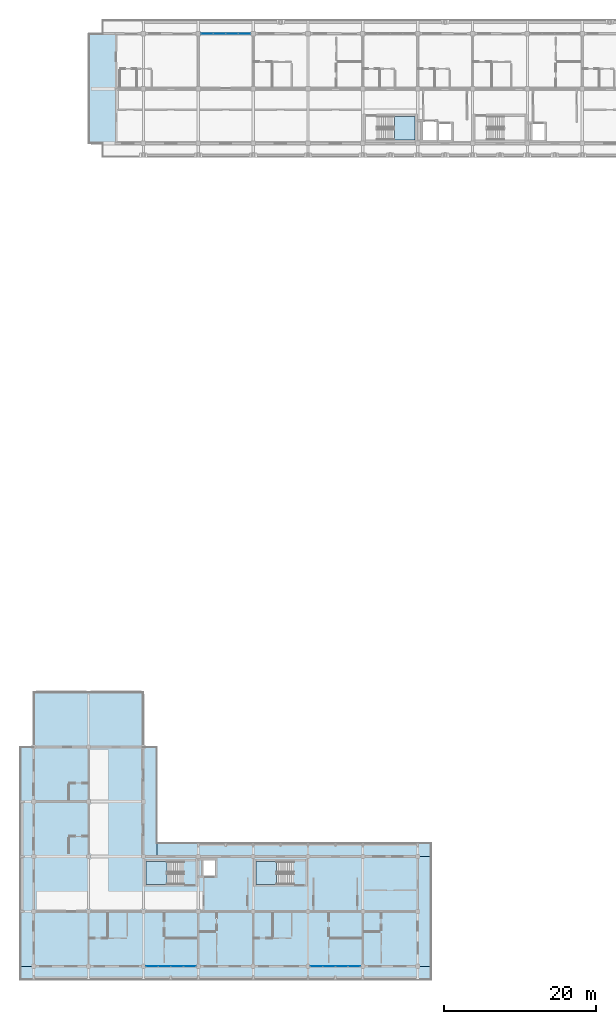
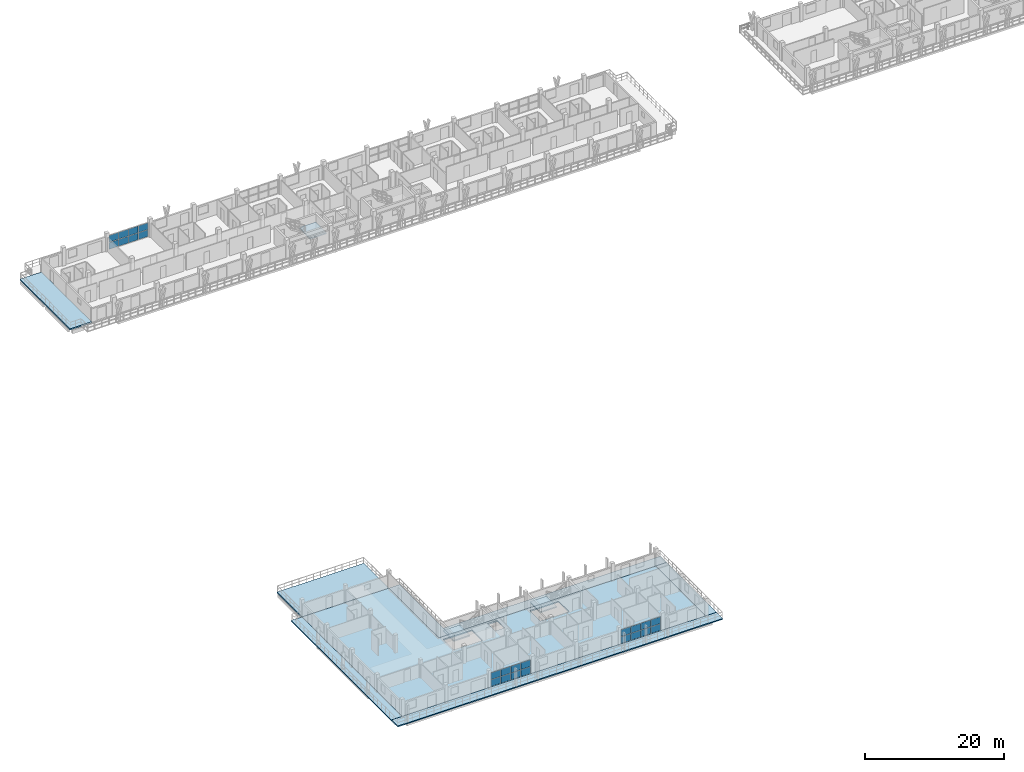
# One storey, part 29 of 67: 24 plates, 11 slabs, 6 elements without a shape of their own.
"""IFC4 building model written with IfcOpenShell, lengths in metres."""

import ifcopenshell
import ifcopenshell.guid

model = None  # the IFC model being written
_history = None  # IfcOwnerHistory: only IFC2X3 demands one
_inside = {}  # id of a spatial element -> (the spatial element, [elements in it])
_under = {}  # id of a project, library or spatial element -> (it, [spatial elements below it])
_declared = {}  # id of a project -> (the project, [libraries it declares])
_typed = {}  # id of a type object -> (the type object, [elements of that type])
_made_of = {}  # id of a material, layer set ... -> (it, [elements and type objects made of it])


def new_model(schema):
    """Start an empty IFC model of exactly this schema.

    Asked for "IFC4X3", IfcOpenShell would pick the latest addendum, in which some entities
    have other attributes; the version numbers below select the first issue.
    IFC2X3 requires an IfcOwnerHistory on every rooted entity: one is made here for all.
    """
    global model, _history
    if schema == "IFC4X3":
        model = ifcopenshell.file(schema_version=(4, 3, 0, 0))
    else:
        model = ifcopenshell.file(schema=schema)
    _inside.clear()
    _under.clear()
    _declared.clear()
    _typed.clear()
    _made_of.clear()
    _history = None
    if model.schema == "IFC2X3":
        org = make("IfcOrganization", Name="unknown")
        user = make(
            "IfcPersonAndOrganization",
            ThePerson=make("IfcPerson", FamilyName="unknown"),
            TheOrganization=org,
        )
        app = make(
            "IfcApplication",
            ApplicationDeveloper=org,
            Version="unknown",
            ApplicationFullName="unknown",
            ApplicationIdentifier="unknown",
        )
        _history = make(
            "IfcOwnerHistory",
            OwningUser=user,
            OwningApplication=app,
            ChangeAction="ADDED",
            CreationDate=0,
        )
    return model


def make(cls, **values):
    """One entity of the class cls with the attributes given. An attribute that is None is left unset."""
    return model.create_entity(
        cls, **{name: value for name, value in values.items() if value is not None}
    )


def rooted(cls, **values):
    """An entity with a GlobalId (a new one), such as an element, a storey or a relation."""
    return make(cls, GlobalId=ifcopenshell.guid.new(), OwnerHistory=_history, **values)


def si_unit(unit_type, name, prefix=None):
    """IfcSIUnit, for example si_unit("LENGTHUNIT", "METRE", prefix="MILLI")."""
    return make("IfcSIUnit", UnitType=unit_type, Prefix=prefix, Name=name)


def assignment(units):
    """IfcUnitAssignment: the units of a project."""
    return None if units is None else make("IfcUnitAssignment", Units=units)


def point(xyz):
    """IfcCartesianPoint."""
    return None if xyz is None else make("IfcCartesianPoint", Coordinates=xyz)


def direction(xyz):
    """IfcDirection."""
    return None if xyz is None else make("IfcDirection", DirectionRatios=xyz)


def frame(location, z_axis=None, x_axis=None):
    """IfcAxis2Placement3D, a coordinate frame: its origin and axes. An axis left out is left unset."""
    return make(
        "IfcAxis2Placement3D",
        Location=point(location),
        Axis=direction(z_axis),
        RefDirection=direction(x_axis),
    )


def frame_2d(location, x_axis=None):
    """IfcAxis2Placement2D, a coordinate frame in the plane: its origin and x axis."""
    return make(
        "IfcAxis2Placement2D", Location=point(location), RefDirection=direction(x_axis)
    )


def origin():
    """The frame at (0, 0, 0) with its axes left unset."""
    return frame((0.0, 0.0, 0.0))


def origin_2d():
    """The frame at (0, 0) in the plane with its x axis left unset."""
    return frame_2d((0.0, 0.0))


def place(relative_to, where):
    """IfcLocalPlacement: puts the frame where relative to a parent placement (None: the world)."""
    return make(
        "IfcLocalPlacement", PlacementRelTo=relative_to, RelativePlacement=where
    )


def context(
    kind, dimensions, precision=None, world=None, true_north=None, identifier=None
):
    """IfcGeometricRepresentationContext, for example the 3D "Model" context."""
    return make(
        "IfcGeometricRepresentationContext",
        ContextIdentifier=identifier,
        ContextType=kind,
        CoordinateSpaceDimension=dimensions,
        Precision=precision,
        WorldCoordinateSystem=world,
        TrueNorth=true_north,
    )


def subcontext(parent, identifier, kind, view, scale=None):
    """IfcGeometricRepresentationSubContext, for example "Body" below "Model"."""
    return make(
        "IfcGeometricRepresentationSubContext",
        ContextIdentifier=identifier,
        ContextType=kind,
        ParentContext=parent,
        TargetScale=scale,
        TargetView=view,
    )


def project(units=None, contexts=None):
    """IfcProject with its units and contexts."""
    return rooted(
        "IfcProject",
        Name="project",
        RepresentationContexts=contexts,
        UnitsInContext=assignment(units),
    )


def spatial(cls, under=None, at=None, **own):
    """A site, building, storey or space (cls), placed at a placement, below another one or the project."""
    s = rooted(cls, ObjectPlacement=at, **own)
    if under is not None:
        _under.setdefault(under.id(), (under, []))[1].append(s)
    return s


def polyline(points):
    """IfcPolyline through the points."""
    return make("IfcPolyline", Points=[point(p) for p in points])


def profile(cls, at=None, kind="AREA", **sizes):
    """A parametric profile (cls). Its sizes go by their IFC names, for example OverallWidth=200.0."""
    return make(cls, ProfileType=kind, Position=at, **sizes)


def rectangle(**sizes):
    """IfcRectangleProfileDef."""
    return profile("IfcRectangleProfileDef", **sizes)


def outline(outer, holes=None, kind="AREA"):
    """IfcArbitraryClosedProfileDef: a profile drawn as a closed curve; with holes, ...WithVoids."""
    if holes is None:
        return make("IfcArbitraryClosedProfileDef", ProfileType=kind, OuterCurve=outer)
    return make(
        "IfcArbitraryProfileDefWithVoids",
        ProfileType=kind,
        OuterCurve=outer,
        InnerCurves=holes,
    )


def extrude(swept, where, along, depth):
    """IfcExtrudedAreaSolid: the profile swept, set in the frame where, extruded along a direction by depth."""
    return make(
        "IfcExtrudedAreaSolid",
        SweptArea=swept,
        Position=where,
        ExtrudedDirection=direction(along),
        Depth=depth,
    )


def shape(context_of_items, identifier, shape_type, items):
    """IfcShapeRepresentation: the items that make up one representation, for example the "Body"."""
    return make(
        "IfcShapeRepresentation",
        ContextOfItems=context_of_items,
        RepresentationIdentifier=identifier,
        RepresentationType=shape_type,
        Items=items,
    )


def material(Name=None, Category=None):
    """IfcMaterial."""
    return make("IfcMaterial", Name=Name, Category=Category)


def layer(
    of_material, thickness, ventilated=None, Name=None, Category=None, Priority=None
):
    """IfcMaterialLayer: one layer of a wall or slab, of a material (None: an air gap)."""
    return make(
        "IfcMaterialLayer",
        Material=of_material,
        LayerThickness=thickness,
        IsVentilated=ventilated,
        Name=Name,
        Category=Category,
        Priority=Priority,
    )


def layer_set(layers, Name=None):
    """IfcMaterialLayerSet."""
    return make("IfcMaterialLayerSet", MaterialLayers=layers, LayerSetName=Name)


def made_of(thing, what):
    """Note that an element or type object is made of a material, layer set ...; save() writes the relation."""
    if what is not None:
        _made_of.setdefault(what.id(), (what, []))[1].append(thing)
    return thing


def type_object(cls, material=None, **own):
    """A type object (cls), such as IfcWallType, which elements share."""
    return made_of(rooted(cls, **own), material)


def element(
    cls,
    number,
    at=None,
    inside=None,
    cuts=None,
    type_object=None,
    material=None,
    context=None,
    identifier="Body",
    shape_type=None,
    held_by="IfcProductDefinitionShape",
    body=None,
    shapes=None,
    **own,
):
    """One element of the class cls, such as IfcWall. Its Tag is "e" and its number.

    at: its placement. inside: the storey or other place that contains it. cuts: it is an
    opening in that element (IfcRelVoidsElement). A single representation is given by context,
    identifier, shape_type and body (its items); several are given by shapes. held_by: the class
    of the entity that holds the representations. save() writes the other relations.
    """
    e = rooted(cls, Tag="e%d" % number, ObjectPlacement=at, **own)
    if body is not None:
        shapes = [shape(context, identifier, shape_type, body)]
    if shapes is not None:
        e.Representation = make(held_by, Representations=shapes)
    if inside is not None:
        _inside.setdefault(inside.id(), (inside, []))[1].append(e)
    if cuts is not None:
        rooted(
            "IfcRelVoidsElement", RelatingBuildingElement=cuts, RelatedOpeningElement=e
        )
    if type_object is not None:
        _typed.setdefault(type_object.id(), (type_object, []))[1].append(e)
    return made_of(e, material)


def aggregate(whole, parts):
    """IfcRelAggregates: a whole, such as a stair, and the parts it consists of."""
    return rooted("IfcRelAggregates", RelatingObject=whole, RelatedObjects=parts)


def save(model, path):
    """Write the relations noted so far, then the file.

    IfcRelAggregates (storeys below a building ...), IfcRelContainedInSpatialStructure (elements
    in a storey), IfcRelDefinesByType, IfcRelAssociatesMaterial and IfcRelDeclares: one each for
    every whole, place, type object, material and project.
    """
    for whole, parts in _under.values():
        aggregate(whole, parts)
    for where, things in _inside.values():
        rooted(
            "IfcRelContainedInSpatialStructure",
            RelatedElements=things,
            RelatingStructure=where,
        )
    for kind, things in _typed.values():
        rooted("IfcRelDefinesByType", RelatedObjects=things, RelatingType=kind)
    for what, things in _made_of.values():
        rooted("IfcRelAssociatesMaterial", RelatedObjects=things, RelatingMaterial=what)
    for by, libraries in _declared.values():
        rooted("IfcRelDeclares", RelatingContext=by, RelatedDefinitions=libraries)
    model.write(path)


model = new_model("IFC4")

# Units and contexts
model_context = context("Model", 3, precision=1e-05, world=origin(), true_north=direction((0.0, 1.0)))
body_context = subcontext(model_context, "Body", "Model", "MODEL_VIEW")
ifc_project = project(units=[si_unit("LENGTHUNIT", "METRE"), si_unit("AREAUNIT", "SQUARE_METRE"), si_unit("VOLUMEUNIT", "CUBIC_METRE"), si_unit("PLANEANGLEUNIT", "RADIAN"), si_unit("MASSUNIT", "GRAM", prefix="KILO")], contexts=[model_context])

# Site, building, storey
site_placement = place(None, origin())
site = spatial("IfcSite", under=ifc_project, at=site_placement, CompositionType="ELEMENT")
building_placement = place(site_placement, origin())
building = spatial("IfcBuilding", under=site, at=building_placement, Name="Suanplinth Sawtooth Commons", CompositionType="ELEMENT")
storey_placement = place(building_placement, frame((0.0, 0.0, 25.10009765625)))
storey = spatial("IfcBuildingStorey", under=building, at=storey_placement, Name="L07", CompositionType="ELEMENT", Elevation=25.10009765625)

# Curtain wall, plates
ifc_material_1 = material(Name="Anodized aluminium and low-E glazing", Category="aluminium")
curtain_wall_type = type_object("IfcCurtainWallType", Name="CW-06", PredefinedType="USERDEFINED", material=ifc_material_1)
curtain_wall_1_placement = place(storey_placement, origin())
curtain_wall_1 = element("IfcCurtainWall", 1, at=curtain_wall_1_placement, inside=storey, type_object=curtain_wall_type, Name="Curtain Wall CW-L07-A-LOUNGE-2", ObjectType="CURTAIN WALL", PredefinedType="USERDEFINED")
ifc_material_2 = material(Name="Tempered low-E double glazing", Category="glass")
ifc_layer_1 = layer(ifc_material_2, 0.028076171875, Name="Vision low-E insulated glazing unit 28mm")
ifc_layer_set_1 = layer_set([ifc_layer_1], Name="Tempered low-E double glazing")
plate_type = type_object("IfcPlateType", Name="PL-05", PredefinedType="CURTAIN_PANEL", material=ifc_layer_set_1)
plate_1_placement = place(storey_placement, frame((22.7412109375, 122.39990234375, 0.06494140625), z_axis=(0.0, 0.0, 1.0), x_axis=(1.0, 0.0, 0.0)))
plate_1 = element("IfcPlate", 2, at=plate_1_placement, type_object=plate_type, Name="CW-06 panel 1.1", PredefinedType="CURTAIN_PANEL", context=body_context, shape_type="SweptSolid", body=[
    extrude(rectangle(XDim=1.552490234375, YDim=0.028076171875, at=origin_2d()), origin(), (0.0, 0.0, 1.0), 1.172607421875),
])
plate_2_placement = place(storey_placement, frame((22.7412109375, 122.39990234375, 1.30224609375), z_axis=(0.0, 0.0, 1.0), x_axis=(1.0, 0.0, 0.0)))
plate_2 = element("IfcPlate", 3, at=plate_2_placement, type_object=plate_type, Name="CW-06 panel 1.2", PredefinedType="CURTAIN_PANEL", context=body_context, shape_type="SweptSolid", body=[
    extrude(rectangle(XDim=1.552490234375, YDim=0.028076171875, at=origin_2d()), origin(), (0.0, 0.0, 1.0), 1.172607421875),
])
plate_3_placement = place(storey_placement, frame((24.375, 122.39990234375, 0.06494140625), z_axis=(0.0, 0.0, 1.0), x_axis=(1.0, 0.0, 0.0)))
plate_3 = element("IfcPlate", 4, at=plate_3_placement, type_object=plate_type, Name="CW-06 panel 2.1", PredefinedType="CURTAIN_PANEL", context=body_context, shape_type="SweptSolid", body=[
    extrude(rectangle(XDim=1.5849609375, YDim=0.028076171875, at=origin_2d()), origin(), (0.0, 0.0, 1.0), 1.172607421875),
])
plate_4_placement = place(storey_placement, frame((24.375, 122.39990234375, 1.30224609375), z_axis=(0.0, 0.0, 1.0), x_axis=(1.0, 0.0, 0.0)))
plate_4 = element("IfcPlate", 5, at=plate_4_placement, type_object=plate_type, Name="CW-06 panel 2.2", PredefinedType="CURTAIN_PANEL", context=body_context, shape_type="SweptSolid", body=[
    extrude(rectangle(XDim=1.5849609375, YDim=0.028076171875, at=origin_2d()), origin(), (0.0, 0.0, 1.0), 1.172607421875),
])
plate_5_placement = place(storey_placement, frame((26.02490234375, 122.39990234375, 0.06494140625), z_axis=(0.0, 0.0, 1.0), x_axis=(1.0, 0.0, 0.0)))
plate_5 = element("IfcPlate", 6, at=plate_5_placement, type_object=plate_type, Name="CW-06 panel 3.1", PredefinedType="CURTAIN_PANEL", context=body_context, shape_type="SweptSolid", body=[
    extrude(rectangle(XDim=1.5849609375, YDim=0.028076171875, at=origin_2d()), origin(), (0.0, 0.0, 1.0), 1.172607421875),
])
plate_6_placement = place(storey_placement, frame((26.02490234375, 122.39990234375, 1.30224609375), z_axis=(0.0, 0.0, 1.0), x_axis=(1.0, 0.0, 0.0)))
plate_6 = element("IfcPlate", 7, at=plate_6_placement, type_object=plate_type, Name="CW-06 panel 3.2", PredefinedType="CURTAIN_PANEL", context=body_context, shape_type="SweptSolid", body=[
    extrude(rectangle(XDim=1.5849609375, YDim=0.028076171875, at=origin_2d()), origin(), (0.0, 0.0, 1.0), 1.172607421875),
])
plate_7_placement = place(storey_placement, frame((27.65869140625, 122.39990234375, 0.06494140625), z_axis=(0.0, 0.0, 1.0), x_axis=(1.0, 0.0, 0.0)))
plate_7 = element("IfcPlate", 8, at=plate_7_placement, type_object=plate_type, Name="CW-06 panel 4.1", PredefinedType="CURTAIN_PANEL", context=body_context, shape_type="SweptSolid", body=[
    extrude(rectangle(XDim=1.552490234375, YDim=0.028076171875, at=origin_2d()), origin(), (0.0, 0.0, 1.0), 1.172607421875),
])
plate_8_placement = place(storey_placement, frame((27.65869140625, 122.39990234375, 1.30224609375), z_axis=(0.0, 0.0, 1.0), x_axis=(1.0, 0.0, 0.0)))
plate_8 = element("IfcPlate", 9, at=plate_8_placement, type_object=plate_type, Name="CW-06 panel 4.2", PredefinedType="CURTAIN_PANEL", context=body_context, shape_type="SweptSolid", body=[
    extrude(rectangle(XDim=1.552490234375, YDim=0.028076171875, at=origin_2d()), origin(), (0.0, 0.0, 1.0), 1.172607421875),
])
aggregate(curtain_wall_1, [plate_1, plate_2, plate_3, plate_4, plate_5, plate_6, plate_7, plate_8])

curtain_wall_2_placement = place(storey_placement, origin())
curtain_wall_2 = element("IfcCurtainWall", 10, at=curtain_wall_2_placement, inside=storey, type_object=curtain_wall_type, Name="Curtain Wall CW-L07-D-LOUNGE-2", ObjectType="CURTAIN WALL", PredefinedType="USERDEFINED")
plate_9_placement = place(storey_placement, frame((15.5224609375, 0.0, 0.06494140625), z_axis=(0.0, 0.0, 1.0), x_axis=(1.0, 0.0, 0.0)))
plate_9 = element("IfcPlate", 11, at=plate_9_placement, type_object=plate_type, Name="CW-06 panel 1.1", PredefinedType="CURTAIN_PANEL", context=body_context, shape_type="SweptSolid", body=[
    extrude(rectangle(XDim=1.56494140625, YDim=0.028076171875, at=origin_2d()), origin(), (0.0, 0.0, 1.0), 1.172607421875),
])
plate_10_placement = place(storey_placement, frame((15.5224609375, 0.0, 1.30224609375), z_axis=(0.0, 0.0, 1.0), x_axis=(1.0, 0.0, 0.0)))
plate_10 = element("IfcPlate", 12, at=plate_10_placement, type_object=plate_type, Name="CW-06 panel 1.2", PredefinedType="CURTAIN_PANEL", context=body_context, shape_type="SweptSolid", body=[
    extrude(rectangle(XDim=1.56494140625, YDim=0.028076171875, at=origin_2d()), origin(), (0.0, 0.0, 1.0), 1.172607421875),
])
plate_11_placement = place(storey_placement, frame((17.168701171875, 0.0, 0.06494140625), z_axis=(0.0, 0.0, 1.0), x_axis=(1.0, 0.0, 0.0)))
plate_11 = element("IfcPlate", 13, at=plate_11_placement, type_object=plate_type, Name="CW-06 panel 2.1", PredefinedType="CURTAIN_PANEL", context=body_context, shape_type="SweptSolid", body=[
    extrude(rectangle(XDim=1.597412109375, YDim=0.028076171875, at=origin_2d()), origin(), (0.0, 0.0, 1.0), 1.172607421875),
])
plate_12_placement = place(storey_placement, frame((17.168701171875, 0.0, 1.30224609375), z_axis=(0.0, 0.0, 1.0), x_axis=(1.0, 0.0, 0.0)))
plate_12 = element("IfcPlate", 14, at=plate_12_placement, type_object=plate_type, Name="CW-06 panel 2.2", PredefinedType="CURTAIN_PANEL", context=body_context, shape_type="SweptSolid", body=[
    extrude(rectangle(XDim=1.597412109375, YDim=0.028076171875, at=origin_2d()), origin(), (0.0, 0.0, 1.0), 1.172607421875),
])
plate_13_placement = place(storey_placement, frame((18.831298828125, 0.0, 0.06494140625), z_axis=(0.0, 0.0, 1.0), x_axis=(1.0, 0.0, 0.0)))
plate_13 = element("IfcPlate", 15, at=plate_13_placement, type_object=plate_type, Name="CW-06 panel 3.1", PredefinedType="CURTAIN_PANEL", context=body_context, shape_type="SweptSolid", body=[
    extrude(rectangle(XDim=1.597412109375, YDim=0.028076171875, at=origin_2d()), origin(), (0.0, 0.0, 1.0), 1.172607421875),
])
plate_14_placement = place(storey_placement, frame((18.831298828125, 0.0, 1.30224609375), z_axis=(0.0, 0.0, 1.0), x_axis=(1.0, 0.0, 0.0)))
plate_14 = element("IfcPlate", 16, at=plate_14_placement, type_object=plate_type, Name="CW-06 panel 3.2", PredefinedType="CURTAIN_PANEL", context=body_context, shape_type="SweptSolid", body=[
    extrude(rectangle(XDim=1.597412109375, YDim=0.028076171875, at=origin_2d()), origin(), (0.0, 0.0, 1.0), 1.172607421875),
])
plate_15_placement = place(storey_placement, frame((20.4775390625, 0.0, 0.06494140625), z_axis=(0.0, 0.0, 1.0), x_axis=(1.0, 0.0, 0.0)))
plate_15 = element("IfcPlate", 17, at=plate_15_placement, type_object=plate_type, Name="CW-06 panel 4.1", PredefinedType="CURTAIN_PANEL", context=body_context, shape_type="SweptSolid", body=[
    extrude(rectangle(XDim=1.56494140625, YDim=0.028076171875, at=origin_2d()), origin(), (0.0, 0.0, 1.0), 1.172607421875),
])
plate_16_placement = place(storey_placement, frame((20.4775390625, 0.0, 1.30224609375), z_axis=(0.0, 0.0, 1.0), x_axis=(1.0, 0.0, 0.0)))
plate_16 = element("IfcPlate", 18, at=plate_16_placement, type_object=plate_type, Name="CW-06 panel 4.2", PredefinedType="CURTAIN_PANEL", context=body_context, shape_type="SweptSolid", body=[
    extrude(rectangle(XDim=1.56494140625, YDim=0.028076171875, at=origin_2d()), origin(), (0.0, 0.0, 1.0), 1.172607421875),
])
aggregate(curtain_wall_2, [plate_9, plate_10, plate_11, plate_12, plate_13, plate_14, plate_15, plate_16])

curtain_wall_3_placement = place(storey_placement, origin())
curtain_wall_3 = element("IfcCurtainWall", 19, at=curtain_wall_3_placement, inside=storey, type_object=curtain_wall_type, Name="Curtain Wall CW-L07-D-LOUNGE-5", ObjectType="CURTAIN WALL", PredefinedType="USERDEFINED")
plate_17_placement = place(storey_placement, frame((37.12255859375, 0.0, 0.06494140625), z_axis=(0.0, 0.0, 1.0), x_axis=(1.0, 0.0, 0.0)))
plate_17 = element("IfcPlate", 20, at=plate_17_placement, type_object=plate_type, Name="CW-06 panel 1.1", PredefinedType="CURTAIN_PANEL", context=body_context, shape_type="SweptSolid", body=[
    extrude(rectangle(XDim=1.56494140625, YDim=0.028076171875, at=origin_2d()), origin(), (0.0, 0.0, 1.0), 1.172607421875),
])
plate_18_placement = place(storey_placement, frame((37.12255859375, 0.0, 1.30224609375), z_axis=(0.0, 0.0, 1.0), x_axis=(1.0, 0.0, 0.0)))
plate_18 = element("IfcPlate", 21, at=plate_18_placement, type_object=plate_type, Name="CW-06 panel 1.2", PredefinedType="CURTAIN_PANEL", context=body_context, shape_type="SweptSolid", body=[
    extrude(rectangle(XDim=1.56494140625, YDim=0.028076171875, at=origin_2d()), origin(), (0.0, 0.0, 1.0), 1.172607421875),
])
plate_19_placement = place(storey_placement, frame((38.768798828125, 0.0, 0.06494140625), z_axis=(0.0, 0.0, 1.0), x_axis=(1.0, 0.0, 0.0)))
plate_19 = element("IfcPlate", 22, at=plate_19_placement, type_object=plate_type, Name="CW-06 panel 2.1", PredefinedType="CURTAIN_PANEL", context=body_context, shape_type="SweptSolid", body=[
    extrude(rectangle(XDim=1.597412109375, YDim=0.028076171875, at=origin_2d()), origin(), (0.0, 0.0, 1.0), 1.172607421875),
])
plate_20_placement = place(storey_placement, frame((38.768798828125, 0.0, 1.30224609375), z_axis=(0.0, 0.0, 1.0), x_axis=(1.0, 0.0, 0.0)))
plate_20 = element("IfcPlate", 23, at=plate_20_placement, type_object=plate_type, Name="CW-06 panel 2.2", PredefinedType="CURTAIN_PANEL", context=body_context, shape_type="SweptSolid", body=[
    extrude(rectangle(XDim=1.597412109375, YDim=0.028076171875, at=origin_2d()), origin(), (0.0, 0.0, 1.0), 1.172607421875),
])
plate_21_placement = place(storey_placement, frame((40.43115234375, 0.0, 0.06494140625), z_axis=(0.0, 0.0, 1.0), x_axis=(1.0, 0.0, 0.0)))
plate_21 = element("IfcPlate", 24, at=plate_21_placement, type_object=plate_type, Name="CW-06 panel 3.1", PredefinedType="CURTAIN_PANEL", context=body_context, shape_type="SweptSolid", body=[
    extrude(rectangle(XDim=1.597412109375, YDim=0.028076171875, at=origin_2d()), origin(), (0.0, 0.0, 1.0), 1.172607421875),
])
plate_22_placement = place(storey_placement, frame((40.43115234375, 0.0, 1.30224609375), z_axis=(0.0, 0.0, 1.0), x_axis=(1.0, 0.0, 0.0)))
plate_22 = element("IfcPlate", 25, at=plate_22_placement, type_object=plate_type, Name="CW-06 panel 3.2", PredefinedType="CURTAIN_PANEL", context=body_context, shape_type="SweptSolid", body=[
    extrude(rectangle(XDim=1.597412109375, YDim=0.028076171875, at=origin_2d()), origin(), (0.0, 0.0, 1.0), 1.172607421875),
])
plate_23_placement = place(storey_placement, frame((42.077392578125, 0.0, 0.06494140625), z_axis=(0.0, 0.0, 1.0), x_axis=(1.0, 0.0, 0.0)))
plate_23 = element("IfcPlate", 26, at=plate_23_placement, type_object=plate_type, Name="CW-06 panel 4.1", PredefinedType="CURTAIN_PANEL", context=body_context, shape_type="SweptSolid", body=[
    extrude(rectangle(XDim=1.56494140625, YDim=0.028076171875, at=origin_2d()), origin(), (0.0, 0.0, 1.0), 1.172607421875),
])
plate_24_placement = place(storey_placement, frame((42.077392578125, 0.0, 1.30224609375), z_axis=(0.0, 0.0, 1.0), x_axis=(1.0, 0.0, 0.0)))
plate_24 = element("IfcPlate", 27, at=plate_24_placement, type_object=plate_type, Name="CW-06 panel 4.2", PredefinedType="CURTAIN_PANEL", context=body_context, shape_type="SweptSolid", body=[
    extrude(rectangle(XDim=1.56494140625, YDim=0.028076171875, at=origin_2d()), origin(), (0.0, 0.0, 1.0), 1.172607421875),
])
aggregate(curtain_wall_3, [plate_17, plate_18, plate_19, plate_20, plate_21, plate_22, plate_23, plate_24])

# Slabs
ifc_material_3 = material(Name="Precast concrete C40/50", Category="concrete")
ifc_layer_2 = layer(ifc_material_3, 0.179931640625, Name="Wrap-around cantilevered precast balcony slab 180mm")
ifc_layer_set_2 = layer_set([ifc_layer_2], Name="Precast concrete C40/50")
slab_type_1 = type_object("IfcSlabType", Name="S-BL01", PredefinedType="FLOOR", material=ifc_layer_set_2)
slab_1_placement = place(storey_placement, frame((0.0, 0.0, -0.18017578125)))
element("IfcSlab", 28, at=slab_1_placement, inside=storey, type_object=slab_type_1, Name="L07 Block D Wrap-Around Balcony S", PredefinedType="FLOOR", context=body_context, shape_type="SweptSolid", body=[
    extrude(outline(polyline([(52.199951171875, 0.0), (52.199951171875, -1.800048828125), (-1.800048828125, -1.800048828125), (-1.800048828125, 0.0), (52.199951171875, 0.0)])), origin(), (0.0, 0.0, 1.0), 0.18017578125),
])
slab_2_placement = place(storey_placement, frame((0.0, 0.0, -0.18017578125)))
element("IfcSlab", 29, at=slab_2_placement, inside=storey, type_object=slab_type_1, Name="L07 Block D Wrap-Around Balcony W", PredefinedType="FLOOR", context=body_context, shape_type="SweptSolid", body=[
    extrude(outline(polyline([(0.0, 0.0), (-1.800048828125, 0.0), (-1.800048828125, 28.800048828125), (0.0, 28.800048828125), (0.0, 0.0)])), origin(), (0.0, 0.0, 1.0), 0.18017578125),
])
slab_3_placement = place(storey_placement, frame((0.0, 0.0, -0.18017578125)))
element("IfcSlab", 30, at=slab_3_placement, inside=storey, type_object=slab_type_1, Name="L07 Block D Wrap-Around Balcony EEND", PredefinedType="FLOOR", context=body_context, shape_type="SweptSolid", body=[
    extrude(outline(polyline([(52.199951171875, 14.39990234375), (52.199951171875, 0.0), (50.39990234375, 0.0), (50.39990234375, 14.39990234375), (52.199951171875, 14.39990234375)])), origin(), (0.0, 0.0, 1.0), 0.18017578125),
])
ifc_layer_3 = layer(ifc_material_3, 0.175048828125, Name="Courtyard cantilevered precast balcony slab 175mm")
ifc_layer_set_3 = layer_set([ifc_layer_3], Name="Precast concrete C40/50")
slab_type_2 = type_object("IfcSlabType", Name="S-BL02", PredefinedType="FLOOR", material=ifc_layer_set_3)
slab_4_placement = place(storey_placement, frame((0.0, 0.0, -0.175048828125)))
element("IfcSlab", 31, at=slab_4_placement, inside=storey, type_object=slab_type_2, Name="L07 Block D Wrap-Around Balcony NC", PredefinedType="FLOOR", context=body_context, shape_type="SweptSolid", body=[
    extrude(outline(polyline([(16.199951171875, 16.199951171875), (52.199951171875, 16.199951171875), (52.199951171875, 14.39990234375), (16.199951171875, 14.39990234375), (16.199951171875, 16.199951171875)])), origin(), (0.0, 0.0, 1.0), 0.175048828125),
])
slab_5_placement = place(storey_placement, frame((0.0, 0.0, -0.175048828125)))
element("IfcSlab", 32, at=slab_5_placement, inside=storey, type_object=slab_type_2, Name="L07 Block D Wrap-Around Balcony EC", PredefinedType="FLOOR", context=body_context, shape_type="SweptSolid", body=[
    extrude(outline(polyline([(16.199951171875, 28.800048828125), (16.199951171875, 14.39990234375), (14.39990234375, 14.39990234375), (14.39990234375, 28.800048828125), (16.199951171875, 28.800048828125)])), origin(), (0.0, 0.0, 1.0), 0.175048828125),
])
ifc_layer_4 = layer(ifc_material_3, 0.219970703125, Name="Precast hollow-core + topping floor slab 220mm")
ifc_layer_set_4 = layer_set([ifc_layer_4], Name="Precast concrete C40/50")
slab_type_3 = type_object("IfcSlabType", Name="S-FL03", PredefinedType="FLOOR", material=ifc_layer_set_4)
slab_6_placement = place(storey_placement, frame((0.0, 0.0, -0.22021484375)))
element("IfcSlab", 33, at=slab_6_placement, inside=storey, type_object=slab_type_3, Name="L07 Block D Structural Floor Plate", PredefinedType="FLOOR", context=body_context, shape_type="SweptSolid", body=[
    extrude(outline(polyline([(0.0, 0.0), (0.0, 28.800048828125), (14.39990234375, 28.800048828125), (14.39990234375, 14.39990234375), (50.39990234375, 14.39990234375), (50.39990234375, 0.0), (0.0, 0.0)]), holes=[polyline([(14.75, 10.75), (19.510009765625, 10.75), (19.510009765625, 13.75), (14.75, 13.75), (14.75, 10.75)]), polyline([(22.25, 11.85009765625), (23.85009765625, 11.85009765625), (23.85009765625, 13.949951171875), (22.25, 13.949951171875), (22.25, 11.85009765625)]), polyline([(29.14990234375, 10.75), (33.909912109375, 10.75), (33.909912109375, 13.75), (29.14990234375, 13.75), (29.14990234375, 10.75)])]), origin(), (0.0, 0.0, 1.0), 0.22021484375),
])

# Stair, slab
ifc_material_4 = material(Name="Concrete C40/50", Category="concrete")
stair_type_1 = type_object("IfcStairType", Name="ST-03", PredefinedType="USERDEFINED", material=ifc_material_4)
stair_1_placement = place(storey_placement, origin())
stair_1 = element("IfcStair", 34, at=stair_1_placement, inside=storey, type_object=stair_type_1, Name="L07 Exit Stair ST-N1", ObjectType="TWO_RETURN_STAIR", PredefinedType="USERDEFINED")
ifc_layer_5 = layer(ifc_material_4, 0.199951171875, Name="Reinforced concrete stair and ramp landing slab 200mm")
ifc_layer_set_5 = layer_set([ifc_layer_5], Name="Concrete C40/50")
slab_type_4 = type_object("IfcSlabType", Name="S-LD01", PredefinedType="LANDING", material=ifc_layer_set_5)
slab_7_placement = place(storey_placement, frame((0.0, 0.0, 1.39990234375)))
slab_7 = element("IfcSlab", 35, at=slab_7_placement, type_object=slab_type_4, Name="ST-03 landing 1", PredefinedType="LANDING", context=body_context, shape_type="SweptSolid", body=[
    extrude(outline(polyline([(47.330078125, 108.449951171875), (50.050048828125, 108.449951171875), (50.050048828125, 111.550048828125), (47.330078125, 111.550048828125), (47.330078125, 108.449951171875)])), origin(), (0.0, 0.0, 1.0), 0.199951171875),
])
aggregate(stair_1, [slab_7])

stair_type_2 = type_object("IfcStairType", Name="ST-07", PredefinedType="USERDEFINED", material=ifc_material_4)
stair_2_placement = place(storey_placement, origin())
stair_2 = element("IfcStair", 36, at=stair_2_placement, inside=storey, type_object=stair_type_2, Name="L07 Exit Stair ST-W1", ObjectType="TWO_RETURN_STAIR", PredefinedType="USERDEFINED")
slab_8_placement = place(storey_placement, frame((0.0, 0.0, 1.39990234375)))
slab_8 = element("IfcSlab", 37, at=slab_8_placement, type_object=slab_type_4, Name="ST-07 landing 1", PredefinedType="LANDING", context=body_context, shape_type="SweptSolid", body=[
    extrude(outline(polyline([(17.469970703125, 13.75), (14.75, 13.75), (14.75, 10.75), (17.469970703125, 10.75), (17.469970703125, 13.75)])), origin(), (0.0, 0.0, 1.0), 0.199951171875),
])
aggregate(stair_2, [slab_8])

stair_3_placement = place(storey_placement, origin())
stair_3 = element("IfcStair", 38, at=stair_3_placement, inside=storey, type_object=stair_type_2, Name="L07 Exit Stair ST-W2", ObjectType="TWO_RETURN_STAIR", PredefinedType="USERDEFINED")
slab_9_placement = place(storey_placement, frame((0.0, 0.0, 1.39990234375)))
slab_9 = element("IfcSlab", 39, at=slab_9_placement, type_object=slab_type_4, Name="ST-07 landing 1", PredefinedType="LANDING", context=body_context, shape_type="SweptSolid", body=[
    extrude(outline(polyline([(31.8701171875, 13.75), (29.14990234375, 13.75), (29.14990234375, 10.75), (31.8701171875, 10.75), (31.8701171875, 13.75)])), origin(), (0.0, 0.0, 1.0), 0.199951171875),
])
aggregate(stair_3, [slab_9])

# Slabs
ifc_layer_6 = layer(ifc_material_4, 0.239990234375, Name="Stepped sky-terrace & courtyard garden slab 240mm")
ifc_layer_set_6 = layer_set([ifc_layer_6], Name="Concrete C40/50")
slab_type_5 = type_object("IfcSlabType", Name="S-TR01", PredefinedType="FLOOR", material=ifc_layer_set_6)
slab_10_placement = place(storey_placement, frame((0.0, 0.0, -0.239990234375)))
element("IfcSlab", 40, at=slab_10_placement, inside=storey, type_object=slab_type_5, Name="L07 Block A Stepped Sky-Terrace 1", PredefinedType="FLOOR", context=body_context, shape_type="SweptSolid", body=[
    extrude(outline(polyline([(7.199951171875, 108.0), (7.199951171875, 122.39990234375), (10.800048828125, 122.39990234375), (10.800048828125, 108.0), (7.199951171875, 108.0)])), origin(), (0.0, 0.0, 1.0), 0.239990234375),
])
slab_11_placement = place(storey_placement, frame((0.0, 0.0, -0.239990234375)))
element("IfcSlab", 41, at=slab_11_placement, inside=storey, type_object=slab_type_5, Name="L07 Block D Stepped Sky-Terrace 1", PredefinedType="FLOOR", context=body_context, shape_type="SweptSolid", body=[
    extrude(outline(polyline([(0.0, 36.0), (14.39990234375, 36.0), (14.39990234375, 28.800048828125), (0.0, 28.800048828125), (0.0, 36.0)])), origin(), (0.0, 0.0, 1.0), 0.239990234375),
])

save(model, "model.ifc")
